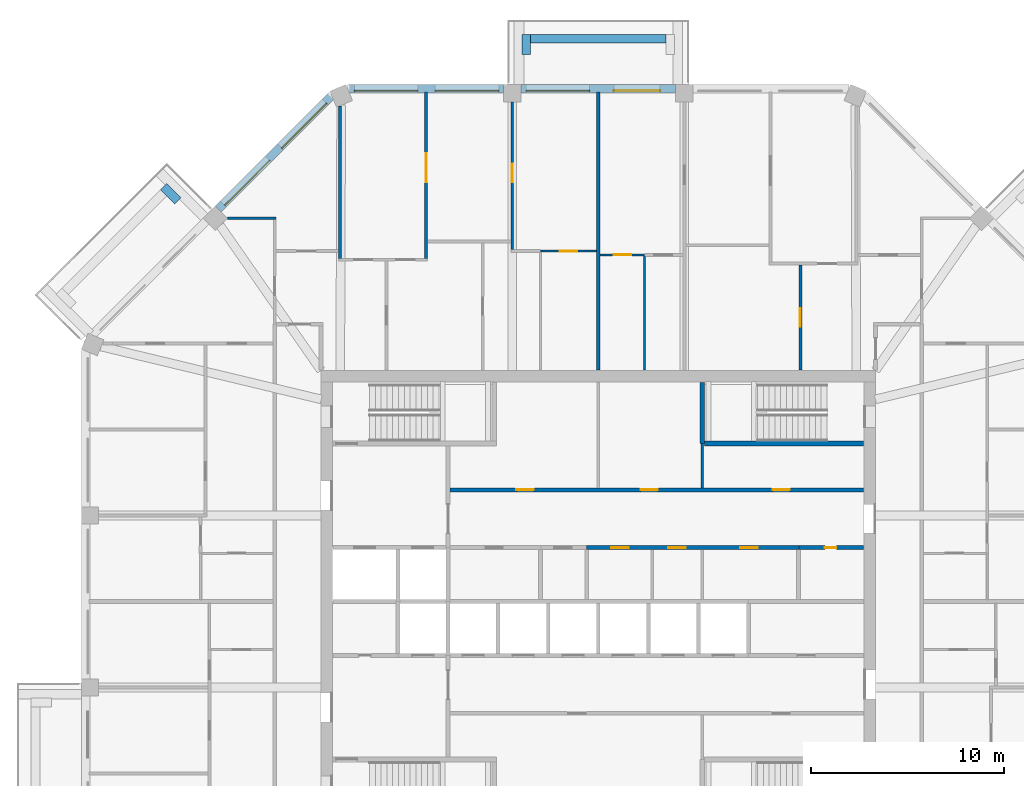
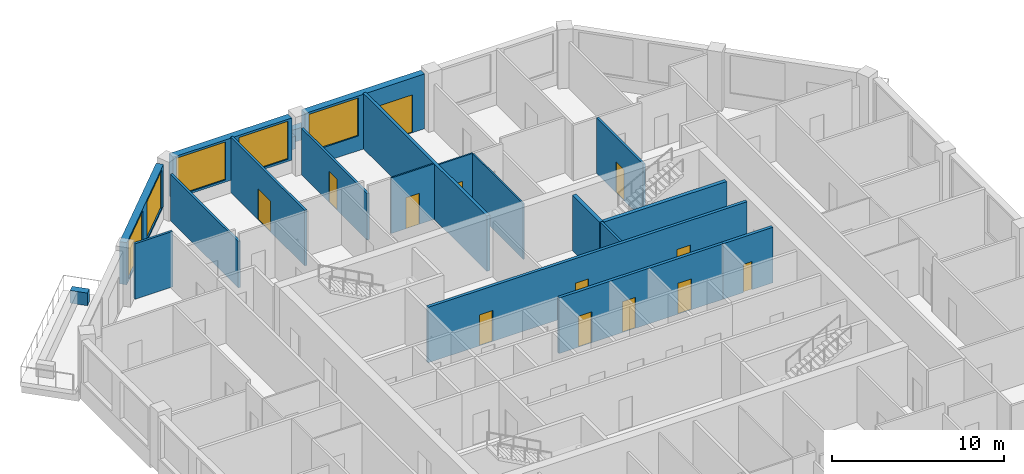
# One storey, part 8 of 11: 21 walls, 13 doors, 5 windows, 18 openings.
"""IFC4 building model written with IfcOpenShell, lengths in metres."""

from ifc_helpers import new_model, si_unit, direction, frame, frame_2d, origin, place, context, subcontext, project, spatial, rectangle, extrude, material, layer, layer_set, type_object, element, fill, save


model = new_model("IFC4")

# Units and contexts
model_context = context("Model", 3, precision=1e-05, world=origin(), true_north=direction((0.0, 1.0)))
body_context = subcontext(model_context, "Body", "Model", "MODEL_VIEW")
ifc_project = project(units=[si_unit("LENGTHUNIT", "METRE"), si_unit("AREAUNIT", "SQUARE_METRE"), si_unit("VOLUMEUNIT", "CUBIC_METRE"), si_unit("PLANEANGLEUNIT", "RADIAN"), si_unit("MASSUNIT", "GRAM", prefix="KILO")], contexts=[model_context])

# Site, building, storey
site_placement = place(None, origin())
site = spatial("IfcSite", under=ifc_project, at=site_placement, CompositionType="ELEMENT")
building_placement = place(site_placement, origin())
building = spatial("IfcBuilding", under=site, at=building_placement, Name="Msitu Wima Residences", CompositionType="ELEMENT")
storey_placement = place(building_placement, frame((0.0, 0.0, 234.89990234375)))
storey = spatial("IfcBuildingStorey", under=building, at=storey_placement, Name="L54", CompositionType="ELEMENT", Elevation=234.89990234375)

# Walls
ifc_material_1 = material(Name="Facing brick")
ifc_layer_1 = layer(ifc_material_1, 0.06494140625, Name="Facing brick")
ifc_material_2 = material(Name="Concrete C40/50", Category="concrete")
ifc_layer_2 = layer(ifc_material_2, 0.156005859375, Name="Concrete C40/50")
ifc_material_3 = material(Name="Waterproofing membrane")
ifc_layer_3 = layer(ifc_material_3, 0.00390625, Name="Waterproofing membrane")
ifc_material_4 = material(Name="Planting soil and planting")
ifc_layer_4 = layer(ifc_material_4, 0.22509765625, Name="Planting soil and planting")
ifc_layer_set_1 = layer_set([ifc_layer_1, ifc_layer_2, ifc_layer_3, ifc_layer_4], Name="Concrete C40/50")
wall_type_1 = type_object("IfcWallType", Name="Balcony planter PLANTER PL450", PredefinedType="USERDEFINED", material=ifc_layer_set_1)
wall_1_placement = place(storey_placement, frame((3.5185546875, 29.22509765625, 0.0), z_axis=(0.0, 0.0, 1.0), x_axis=(-1.0, 0.0, 0.0)))
element("IfcWall", 1, at=wall_1_placement, inside=storey, type_object=wall_type_1, Name="Balcony planter N1 L54", ObjectType="PLANTER", PredefinedType="USERDEFINED", context=body_context, shape_type="SweptSolid", body=[
    extrude(rectangle(XDim=7.037109375, YDim=0.449951171875, at=frame_2d((3.5185546875, 0.0))), origin(), (0.0, 0.0, 1.0), 0.900146484375),
])
for number, where, z_axis, x_axis, name in (
    (2, (-3.74365234375, 28.39990234375, 0.0), (0.0, 0.0, 1.0), (0.0, 1.0, 0.0), "Balcony planter N1 L54"),
    (3, (-21.829833984375, 20.804443359375, 0.0), (0.0, 0.0, 1.0), (-0.707106781187, 0.707106781187, 0.0), "Balcony planter NW1 L54"),
):
    element("IfcWall", number, at=place(storey_placement, frame(where, z_axis=z_axis, x_axis=x_axis)), inside=storey, type_object=wall_type_1, Name=name, ObjectType="PLANTER", PredefinedType="USERDEFINED", context=body_context, shape_type="SweptSolid", body=[
        extrude(rectangle(XDim=1.050048828125, YDim=0.449951171875, at=frame_2d((0.52490234375, 0.0))), origin(), (0.0, 0.0, 1.0), 0.900146484375),
    ])

# Wall, openings, door, window
ifc_material_5 = material(Name="Brick (red buff mix)", Category="masonry")
ifc_layer_5 = layer(ifc_material_5, 0.449951171875)
ifc_layer_set_2 = layer_set([ifc_layer_5], Name="Brick (red buff mix)")
wall_type_2 = type_object("IfcWallType", Name="Brick infill wall BW450", PredefinedType="SOLIDWALL", material=ifc_layer_set_2)
wall_2_placement = place(storey_placement, frame((4.0185546875, 26.625, 0.0), z_axis=(0.0, 0.0, 1.0), x_axis=(-1.0, 0.0, 0.0)))
wall_2 = element("IfcWall", 4, at=wall_2_placement, inside=storey, type_object=wall_type_2, Name="Brick infill wall L54 N1", PredefinedType="SOLIDWALL", context=body_context, shape_type="SweptSolid", body=[
    extrude(rectangle(XDim=8.037109375, YDim=0.449951171875, at=frame_2d((4.0185546875, 0.0))), origin(), (0.0, 0.0, 1.0), 3.900146484375),
])
opening_1_placement = place(wall_2_placement, frame((0.809326171875, 0.0, 0.0)))
opening_1 = element("IfcOpeningElement", 5, at=opening_1_placement, cuts=wall_2, Name="Opening D52-54.002", PredefinedType="OPENING", context=body_context, shape_type="SweptSolid", body=[
    extrude(rectangle(XDim=2.39990234375, YDim=2.699951171875, at=frame_2d((1.199951171875, 1.35009765625))), frame((0.0, 0.23486328125, 0.0), z_axis=(0.0, -1.0, 0.0), x_axis=(1.0, 0.0, 0.0)), (0.0, 0.0, 1.0), 0.469970703125),
])
opening_2_placement = place(wall_2_placement, frame((4.46875, 0.0, 1.050048828125)))
opening_2 = element("IfcOpeningElement", 6, at=opening_2_placement, cuts=wall_2, Name="Opening W52-54.008", PredefinedType="OPENING", context=body_context, shape_type="SweptSolid", body=[
    extrude(rectangle(XDim=3.300048828125, YDim=2.699951171875, at=frame_2d((1.64990234375, 1.35009765625))), frame((0.0, 0.23486328125, 0.0), z_axis=(0.0, -1.0, 0.0), x_axis=(1.0, 0.0, 0.0)), (0.0, 0.0, 1.0), 0.469970703125),
])
ifc_material_6 = material(Name="Anodised aluminium, bronze finish, clear low-emissivity double glazing", Category="aluminium")
door_type_1 = type_object("IfcDoorType", Name="Balcony door D2400x2700", OperationType="SLIDING_TO_LEFT", PredefinedType="DOOR", material=ifc_material_6)
door_1_placement = place(opening_1_placement, origin())
door_1 = element("IfcDoor", 7, at=door_1_placement, inside=storey, type_object=door_type_1, Name="Balcony door L54 N1", OperationType="SINGLE_SWING_LEFT", OverallHeight=2.699951171875, OverallWidth=2.39990234375, PredefinedType="DOOR", context=body_context, shape_type="SweptSolid", body=[
    extrude(rectangle(XDim=2.39990234375, YDim=2.699951171875, at=frame_2d((1.199951171875, 1.35009765625))), frame((0.0, 0.1298828125, 0.0), z_axis=(0.0, -1.0, 0.0), x_axis=(1.0, 0.0, 0.0)), (0.0, 0.0, 1.0), 0.050048828125),
])
fill(opening_1, door_1)
window_type = type_object("IfcWindowType", Name="Window W3300x2700", PartitioningType="DOUBLE_PANEL_VERTICAL", PredefinedType="WINDOW", material=ifc_material_6)
window_1_placement = place(opening_2_placement, origin())
window_1 = element("IfcWindow", 8, at=window_1_placement, inside=storey, type_object=window_type, Name="Window L54 N1.2", OverallHeight=2.699951171875, OverallWidth=3.300048828125, PartitioningType="SINGLE_PANEL", PredefinedType="WINDOW", context=body_context, shape_type="SweptSolid", body=[
    extrude(rectangle(XDim=3.300048828125, YDim=2.699951171875, at=frame_2d((1.64990234375, 1.35009765625))), frame((0.0, 0.135009765625, 0.0), z_axis=(0.0, -1.0, 0.0), x_axis=(1.0, 0.0, 0.0)), (0.0, 0.0, 1.0), 0.06005859375),
])
fill(opening_2, window_1)

# Wall, openings, windows
wall_3_placement = place(storey_placement, frame((-4.918701171875, 26.625, 0.900146484375), z_axis=(0.0, 0.0, 1.0), x_axis=(-1.0, 0.0, 0.0)))
wall_3 = element("IfcWall", 9, at=wall_3_placement, inside=storey, type_object=wall_type_2, Name="Brick infill wall L54 N2", PredefinedType="SOLIDWALL", context=body_context, shape_type="SweptSolid", body=[
    extrude(rectangle(XDim=8.0, YDim=0.449951171875, at=frame_2d((4.0, 0.0))), origin(), (0.0, 0.0, 1.0), 3.0),
])
opening_3_placement = place(wall_3_placement, frame((0.25, 0.0, 0.14990234375)))
opening_3 = element("IfcOpeningElement", 10, at=opening_3_placement, cuts=wall_3, Name="Opening W52-54.009", PredefinedType="OPENING", context=body_context, shape_type="SweptSolid", body=[
    extrude(rectangle(XDim=3.300048828125, YDim=2.699951171875, at=frame_2d((1.64990234375, 1.35009765625))), frame((0.0, 0.23486328125, 0.0), z_axis=(0.0, -1.0, 0.0), x_axis=(1.0, 0.0, 0.0)), (0.0, 0.0, 1.0), 0.469970703125),
])
opening_4_placement = place(wall_3_placement, frame((4.4501953125, 0.0, 0.14990234375)))
opening_4 = element("IfcOpeningElement", 11, at=opening_4_placement, cuts=wall_3, Name="Opening W52-54.010", PredefinedType="OPENING", context=body_context, shape_type="SweptSolid", body=[
    extrude(rectangle(XDim=3.300048828125, YDim=2.699951171875, at=frame_2d((1.64990234375, 1.35009765625))), frame((0.0, 0.23486328125, 0.0), z_axis=(0.0, -1.0, 0.0), x_axis=(1.0, 0.0, 0.0)), (0.0, 0.0, 1.0), 0.469970703125),
])
window_2_placement = place(opening_3_placement, origin())
window_2 = element("IfcWindow", 12, at=window_2_placement, inside=storey, type_object=window_type, Name="Window L54 N2.1", OverallHeight=2.699951171875, OverallWidth=3.300048828125, PartitioningType="SINGLE_PANEL", PredefinedType="WINDOW", context=body_context, shape_type="SweptSolid", body=[
    extrude(rectangle(XDim=3.300048828125, YDim=2.699951171875, at=frame_2d((1.64990234375, 1.35009765625))), frame((0.0, 0.135009765625, 0.0), z_axis=(0.0, -1.0, 0.0), x_axis=(1.0, 0.0, 0.0)), (0.0, 0.0, 1.0), 0.06005859375),
])
fill(opening_3, window_2)
window_3_placement = place(opening_4_placement, origin())
window_3 = element("IfcWindow", 13, at=window_3_placement, inside=storey, type_object=window_type, Name="Window L54 N2.2", OverallHeight=2.699951171875, OverallWidth=3.300048828125, PartitioningType="SINGLE_PANEL", PredefinedType="WINDOW", context=body_context, shape_type="SweptSolid", body=[
    extrude(rectangle(XDim=3.300048828125, YDim=2.699951171875, at=frame_2d((1.64990234375, 1.35009765625))), frame((0.0, 0.135009765625, 0.0), z_axis=(0.0, -1.0, 0.0), x_axis=(1.0, 0.0, 0.0)), (0.0, 0.0, 1.0), 0.06005859375),
])
fill(opening_4, window_3)

wall_4_placement = place(storey_placement, frame((-13.909423828125, 26.214599609375, 0.900146484375), z_axis=(0.0, 0.0, 1.0), x_axis=(-0.707106781187, -0.707106781187, 0.0)))
wall_4 = element("IfcWall", 14, at=wall_4_placement, inside=storey, type_object=wall_type_2, Name="Brick infill wall L54 NW0", PredefinedType="SOLIDWALL", context=body_context, shape_type="SweptSolid", body=[
    extrude(rectangle(XDim=8.251220703125, YDim=0.449951171875, at=frame_2d((4.12548828125, 0.0))), origin(), (0.0, 0.0, 1.0), 3.0),
])
opening_5_placement = place(wall_4_placement, frame((0.37548828125, 0.0, 0.14990234375)))
opening_5 = element("IfcOpeningElement", 15, at=opening_5_placement, cuts=wall_4, Name="Opening W52-54.014", PredefinedType="OPENING", context=body_context, shape_type="SweptSolid", body=[
    extrude(rectangle(XDim=3.300048828125, YDim=2.699951171875, at=frame_2d((1.64990234375, 1.35009765625))), frame((0.0, 0.23486328125, 0.0), z_axis=(0.0, -1.0, 0.0), x_axis=(1.0, 0.0, 0.0)), (0.0, 0.0, 1.0), 0.469970703125),
])
opening_6_placement = place(wall_4_placement, frame((4.57568359375, 0.0, 0.14990234375)))
opening_6 = element("IfcOpeningElement", 16, at=opening_6_placement, cuts=wall_4, Name="Opening W52-54.015", PredefinedType="OPENING", context=body_context, shape_type="SweptSolid", body=[
    extrude(rectangle(XDim=3.300048828125, YDim=2.699951171875, at=frame_2d((1.64990234375, 1.35009765625))), frame((0.0, 0.23486328125, 0.0), z_axis=(0.0, -1.0, 0.0), x_axis=(1.0, 0.0, 0.0)), (0.0, 0.0, 1.0), 0.469970703125),
])
window_4_placement = place(opening_5_placement, origin())
window_4 = element("IfcWindow", 17, at=window_4_placement, inside=storey, type_object=window_type, Name="Window L54 NW0.1", OverallHeight=2.699951171875, OverallWidth=3.300048828125, PartitioningType="SINGLE_PANEL", PredefinedType="WINDOW", context=body_context, shape_type="SweptSolid", body=[
    extrude(rectangle(XDim=3.300048828125, YDim=2.699951171875, at=frame_2d((1.64990234375, 1.35009765625))), frame((0.0, 0.135009765625, 0.0), z_axis=(0.0, -1.0, 0.0), x_axis=(1.0, 0.0, 0.0)), (0.0, 0.0, 1.0), 0.06005859375),
])
fill(opening_5, window_4)
window_5_placement = place(opening_6_placement, origin())
window_5 = element("IfcWindow", 18, at=window_5_placement, inside=storey, type_object=window_type, Name="Window L54 NW0.2", OverallHeight=2.699951171875, OverallWidth=3.300048828125, PartitioningType="SINGLE_PANEL", PredefinedType="WINDOW", context=body_context, shape_type="SweptSolid", body=[
    extrude(rectangle(XDim=3.300048828125, YDim=2.699951171875, at=frame_2d((1.64990234375, 1.35009765625))), frame((0.0, 0.135009765625, 0.0), z_axis=(0.0, -1.0, 0.0), x_axis=(1.0, 0.0, 0.0)), (0.0, 0.0, 1.0), 0.06005859375),
])
fill(opening_6, window_5)

# Wall, openings, doors
ifc_material_7 = material(Name="Plaster")
ifc_layer_6 = layer(ifc_material_7, 0.011962890625, Name="Plaster")
ifc_material_8 = material(Name="Concrete blockwork", Category="masonry")
ifc_layer_7 = layer(ifc_material_8, 0.176025390625, Name="Concrete blockwork")
ifc_layer_8 = layer(ifc_material_7, 0.011962890625, Name="Plaster")
ifc_layer_set_3 = layer_set([ifc_layer_6, ifc_layer_7, ifc_layer_8], Name="Concrete blockwork")
wall_type_3 = type_object("IfcWallType", Name="Corridor wall FW200", PredefinedType="PARTITIONING", material=ifc_layer_set_3)
wall_5_placement = place(storey_placement, frame((-7.699951171875, 5.800048828125, 0.0), z_axis=(0.0, 0.0, 1.0), x_axis=(1.0, 0.0, 0.0)))
wall_5 = element("IfcWall", 19, at=wall_5_placement, inside=storey, type_object=wall_type_3, Name="Corridor wall", PredefinedType="PARTITIONING", context=body_context, shape_type="SweptSolid", body=[
    extrude(rectangle(XDim=21.469970703125, YDim=0.199951171875, at=frame_2d((10.73486328125, 0.0))), origin(), (0.0, 0.0, 1.0), 3.9501953125),
])
opening_7_placement = place(wall_5_placement, frame((3.449951171875, 0.0, 0.0)))
opening_7 = element("IfcOpeningElement", 20, at=opening_7_placement, cuts=wall_5, Name="Opening D52-54.071", PredefinedType="OPENING", context=body_context, shape_type="SweptSolid", body=[
    extrude(rectangle(XDim=0.89990234375, YDim=2.199951171875, at=frame_2d((0.449951171875, 1.10009765625))), frame((0.0, 0.10986328125, 0.0), z_axis=(0.0, -1.0, 0.0), x_axis=(1.0, 0.0, 0.0)), (0.0, 0.0, 1.0), 0.219970703125),
])
opening_8_placement = place(wall_5_placement, frame((9.89990234375, 0.0, 0.0)))
opening_8 = element("IfcOpeningElement", 21, at=opening_8_placement, cuts=wall_5, Name="Opening D52-54.072", PredefinedType="OPENING", context=body_context, shape_type="SweptSolid", body=[
    extrude(rectangle(XDim=0.89990234375, YDim=2.199951171875, at=frame_2d((0.449951171875, 1.10009765625))), frame((0.0, 0.10986328125, 0.0), z_axis=(0.0, -1.0, 0.0), x_axis=(1.0, 0.0, 0.0)), (0.0, 0.0, 1.0), 0.219970703125),
])
opening_9_placement = place(wall_5_placement, frame((16.75, 0.0, 0.0)))
opening_9 = element("IfcOpeningElement", 22, at=opening_9_placement, cuts=wall_5, Name="Opening D52-54.073", PredefinedType="OPENING", context=body_context, shape_type="SweptSolid", body=[
    extrude(rectangle(XDim=0.89990234375, YDim=2.199951171875, at=frame_2d((0.449951171875, 1.10009765625))), frame((0.0, 0.10986328125, 0.0), z_axis=(0.0, -1.0, 0.0), x_axis=(1.0, 0.0, 0.0)), (0.0, 0.0, 1.0), 0.219970703125),
])
ifc_material_9 = material(Name="Timber flush door", Category="wood")
door_type_2 = type_object("IfcDoorType", Name="Service door D05 900x2200", OperationType="SINGLE_SWING_LEFT", PredefinedType="DOOR", material=ifc_material_9)
door_2_placement = place(opening_7_placement, origin())
door_2 = element("IfcDoor", 23, at=door_2_placement, inside=storey, type_object=door_type_2, Name="Service door", OperationType="SINGLE_SWING_LEFT", OverallHeight=2.199951171875, OverallWidth=0.89990234375, PredefinedType="DOOR", context=body_context, shape_type="SweptSolid", body=[
    extrude(rectangle(XDim=0.89990234375, YDim=2.199951171875, at=frame_2d((0.449951171875, 1.10009765625))), frame((0.0, 0.02490234375, 0.0), z_axis=(0.0, -1.0, 0.0), x_axis=(1.0, 0.0, 0.0)), (0.0, 0.0, 1.0), 0.050048828125),
])
fill(opening_7, door_2)
door_3_placement = place(opening_8_placement, origin())
door_3 = element("IfcDoor", 24, at=door_3_placement, inside=storey, type_object=door_type_2, Name="Service door", OperationType="SINGLE_SWING_LEFT", OverallHeight=2.199951171875, OverallWidth=0.89990234375, PredefinedType="DOOR", context=body_context, shape_type="SweptSolid", body=[
    extrude(rectangle(XDim=0.89990234375, YDim=2.199951171875, at=frame_2d((0.449951171875, 1.10009765625))), frame((0.0, 0.02490234375, 0.0), z_axis=(0.0, -1.0, 0.0), x_axis=(1.0, 0.0, 0.0)), (0.0, 0.0, 1.0), 0.050048828125),
])
fill(opening_8, door_3)
door_4_placement = place(opening_9_placement, origin())
door_4 = element("IfcDoor", 25, at=door_4_placement, inside=storey, type_object=door_type_2, Name="Service door", OperationType="SINGLE_SWING_RIGHT", OverallHeight=2.199951171875, OverallWidth=0.89990234375, PredefinedType="DOOR", context=body_context, shape_type="SweptSolid", body=[
    extrude(rectangle(XDim=0.89990234375, YDim=2.199951171875, at=frame_2d((0.449951171875, 1.10009765625))), frame((0.0, 0.02490234375, 0.0), z_axis=(0.0, -1.0, 0.0), x_axis=(1.0, 0.0, 0.0)), (0.0, 0.0, 1.0), 0.050048828125),
])
fill(opening_9, door_4)

wall_6_placement = place(storey_placement, frame((-0.6201171875, 2.800048828125, 0.0), z_axis=(0.0, 0.0, 1.0), x_axis=(1.0, 0.0, 0.0)))
wall_6 = element("IfcWall", 26, at=wall_6_placement, inside=storey, type_object=wall_type_3, Name="Corridor wall", PredefinedType="PARTITIONING", context=body_context, shape_type="SweptSolid", body=[
    extrude(rectangle(XDim=11.0400390625, YDim=0.199951171875, at=frame_2d((5.52001953125, 0.0))), origin(), (0.0, 0.0, 1.0), 3.9501953125),
])
opening_10_placement = place(wall_6_placement, frame((1.300048828125, 0.0, 0.0)))
opening_10 = element("IfcOpeningElement", 27, at=opening_10_placement, cuts=wall_6, Name="Opening D52-54.080", PredefinedType="OPENING", context=body_context, shape_type="SweptSolid", body=[
    extrude(rectangle(XDim=0.89990234375, YDim=2.199951171875, at=frame_2d((0.449951171875, 1.10009765625))), frame((0.0, 0.10986328125, 0.0), z_axis=(0.0, -1.0, 0.0), x_axis=(1.0, 0.0, 0.0)), (0.0, 0.0, 1.0), 0.219970703125),
])
opening_11_placement = place(wall_6_placement, frame((4.25, 0.0, 0.0)))
opening_11 = element("IfcOpeningElement", 28, at=opening_11_placement, cuts=wall_6, Name="Opening D52-54.081", PredefinedType="OPENING", context=body_context, shape_type="SweptSolid", body=[
    extrude(rectangle(XDim=0.89990234375, YDim=2.199951171875, at=frame_2d((0.449951171875, 1.10009765625))), frame((0.0, 0.10986328125, 0.0), z_axis=(0.0, -1.0, 0.0), x_axis=(1.0, 0.0, 0.0)), (0.0, 0.0, 1.0), 0.219970703125),
])
opening_12_placement = place(wall_6_placement, frame((8.0, 0.0, 0.0)))
opening_12 = element("IfcOpeningElement", 29, at=opening_12_placement, cuts=wall_6, Name="Opening D52-54.082", PredefinedType="OPENING", context=body_context, shape_type="SweptSolid", body=[
    extrude(rectangle(XDim=0.89990234375, YDim=2.199951171875, at=frame_2d((0.449951171875, 1.10009765625))), frame((0.0, 0.10986328125, 0.0), z_axis=(0.0, -1.0, 0.0), x_axis=(1.0, 0.0, 0.0)), (0.0, 0.0, 1.0), 0.219970703125),
])
door_5_placement = place(opening_10_placement, origin())
door_5 = element("IfcDoor", 30, at=door_5_placement, inside=storey, type_object=door_type_2, Name="Service door", OperationType="SINGLE_SWING_LEFT", OverallHeight=2.199951171875, OverallWidth=0.89990234375, PredefinedType="DOOR", context=body_context, shape_type="SweptSolid", body=[
    extrude(rectangle(XDim=0.89990234375, YDim=2.199951171875, at=frame_2d((0.449951171875, 1.10009765625))), frame((0.0, 0.02490234375, 0.0), z_axis=(0.0, -1.0, 0.0), x_axis=(1.0, 0.0, 0.0)), (0.0, 0.0, 1.0), 0.050048828125),
])
fill(opening_10, door_5)
door_6_placement = place(opening_11_placement, origin())
door_6 = element("IfcDoor", 31, at=door_6_placement, inside=storey, type_object=door_type_2, Name="Service door", OperationType="SINGLE_SWING_RIGHT", OverallHeight=2.199951171875, OverallWidth=0.89990234375, PredefinedType="DOOR", context=body_context, shape_type="SweptSolid", body=[
    extrude(rectangle(XDim=0.89990234375, YDim=2.199951171875, at=frame_2d((0.449951171875, 1.10009765625))), frame((0.0, 0.02490234375, 0.0), z_axis=(0.0, -1.0, 0.0), x_axis=(1.0, 0.0, 0.0)), (0.0, 0.0, 1.0), 0.050048828125),
])
fill(opening_11, door_6)
door_7_placement = place(opening_12_placement, origin())
door_7 = element("IfcDoor", 32, at=door_7_placement, inside=storey, type_object=door_type_2, Name="Service door", OperationType="SINGLE_SWING_RIGHT", OverallHeight=2.199951171875, OverallWidth=0.89990234375, PredefinedType="DOOR", context=body_context, shape_type="SweptSolid", body=[
    extrude(rectangle(XDim=0.89990234375, YDim=2.199951171875, at=frame_2d((0.449951171875, 1.10009765625))), frame((0.0, 0.02490234375, 0.0), z_axis=(0.0, -1.0, 0.0), x_axis=(1.0, 0.0, 0.0)), (0.0, 0.0, 1.0), 0.050048828125),
])
fill(opening_12, door_7)

# Walls
ifc_layer_9 = layer(ifc_material_7, 0.011962890625, Name="Plaster")
ifc_layer_10 = layer(ifc_material_8, 0.1259765625, Name="Concrete blockwork")
ifc_layer_11 = layer(ifc_material_7, 0.011962890625, Name="Plaster")
ifc_layer_set_4 = layer_set([ifc_layer_9, ifc_layer_10, ifc_layer_11], Name="Concrete blockwork")
wall_type_4 = type_object("IfcWallType", Name="Partition PW150", PredefinedType="PARTITIONING", material=ifc_layer_set_4)
wall_7_placement = place(storey_placement, frame((-19.2666015625, 19.90283203125, 0.0), z_axis=(0.0, 0.0, 1.0), x_axis=(1.0, 0.0, 0.0)))
element("IfcWall", 33, at=wall_7_placement, inside=storey, type_object=wall_type_4, Name="Partition", PredefinedType="PARTITIONING", context=body_context, shape_type="SweptSolid", body=[
    extrude(rectangle(XDim=2.54150390625, YDim=0.14990234375, at=frame_2d((1.270751953125, 0.0))), origin(), (0.0, 0.0, 1.0), 3.9501953125),
])
wall_8_placement = place(storey_placement, frame((-13.406005859375, 17.824951171875, 0.0), z_axis=(0.0, 0.0, 1.0), x_axis=(0.0, 1.0, 0.0)))
element("IfcWall", 34, at=wall_8_placement, inside=storey, type_object=wall_type_4, Name="Partition", PredefinedType="PARTITIONING", context=body_context, shape_type="SweptSolid", body=[
    extrude(rectangle(XDim=7.90625, YDim=0.14990234375, at=frame_2d((3.953125, 0.0))), origin(), (0.0, 0.0, 1.0), 3.300048828125),
])

# Wall, opening, door
wall_9_placement = place(storey_placement, frame((-8.937255859375, 17.824951171875, 0.0), z_axis=(0.0, 0.0, 1.0), x_axis=(0.0, 1.0, 0.0)))
wall_9 = element("IfcWall", 35, at=wall_9_placement, inside=storey, type_object=wall_type_4, Name="Partition", PredefinedType="PARTITIONING", context=body_context, shape_type="SweptSolid", body=[
    extrude(rectangle(XDim=8.630126953125, YDim=0.14990234375, at=frame_2d((4.31494140625, 0.0))), origin(), (0.0, 0.0, 1.0), 3.9501953125),
])
opening_13_placement = place(wall_9_placement, frame((3.949951171875, 0.0, 0.0)))
opening_13 = element("IfcOpeningElement", 36, at=opening_13_placement, cuts=wall_9, Name="Opening D52-54.033", PredefinedType="OPENING", context=body_context, shape_type="SweptSolid", body=[
    extrude(rectangle(XDim=1.5, YDim=2.199951171875, at=frame_2d((0.75, 1.10009765625))), frame((0.0, 0.0849609375, 0.0), z_axis=(0.0, -1.0, 0.0), x_axis=(1.0, 0.0, 0.0)), (0.0, 0.0, 1.0), 0.169921875),
])
ifc_material_10 = material(Name="Timber double door", Category="wood")
door_type_3 = type_object("IfcDoorType", Name="Double door D04 1500x2200", OperationType="DOUBLE_DOOR_SINGLE_SWING", PredefinedType="DOOR", material=ifc_material_10)
door_8_placement = place(opening_13_placement, origin())
door_8 = element("IfcDoor", 37, at=door_8_placement, inside=storey, type_object=door_type_3, Name="Double door", OperationType="DOUBLE_DOOR_SINGLE_SWING", OverallHeight=2.199951171875, OverallWidth=1.5, PredefinedType="DOOR", context=body_context, shape_type="SweptSolid", body=[
    extrude(rectangle(XDim=1.5, YDim=2.199951171875, at=frame_2d((0.75, 1.10009765625))), frame((0.0, 0.02490234375, 0.0), z_axis=(0.0, -1.0, 0.0), x_axis=(1.0, 0.0, 0.0)), (0.0, 0.0, 1.0), 0.050048828125),
])
fill(opening_13, door_8)

wall_10_placement = place(storey_placement, frame((-4.46875, 18.27490234375, 0.0), z_axis=(0.0, 0.0, 1.0), x_axis=(0.0, 1.0, 0.0)))
wall_10 = element("IfcWall", 38, at=wall_10_placement, inside=storey, type_object=wall_type_4, Name="Partition", PredefinedType="PARTITIONING", context=body_context, shape_type="SweptSolid", body=[
    extrude(rectangle(XDim=7.675048828125, YDim=0.14990234375, at=frame_2d((3.83740234375, 0.0))), origin(), (0.0, 0.0, 1.0), 3.300048828125),
])
opening_14_placement = place(wall_10_placement, frame((3.5, 0.0, 0.0)))
opening_14 = element("IfcOpeningElement", 39, at=opening_14_placement, cuts=wall_10, Name="Opening D52-54.025", PredefinedType="OPENING", context=body_context, shape_type="SweptSolid", body=[
    extrude(rectangle(XDim=0.949951171875, YDim=2.199951171875, at=frame_2d((0.47509765625, 1.10009765625))), frame((0.0, 0.0849609375, 0.0), z_axis=(0.0, -1.0, 0.0), x_axis=(1.0, 0.0, 0.0)), (0.0, 0.0, 1.0), 0.169921875),
])
door_type_4 = type_object("IfcDoorType", Name="Room door D12 950x2200", OperationType="SINGLE_SWING_LEFT", PredefinedType="DOOR", material=ifc_material_9)
door_9_placement = place(opening_14_placement, origin())
door_9 = element("IfcDoor", 40, at=door_9_placement, inside=storey, type_object=door_type_4, Name="Room door", OperationType="SINGLE_SWING_LEFT", OverallHeight=2.199951171875, OverallWidth=0.949951171875, PredefinedType="DOOR", context=body_context, shape_type="SweptSolid", body=[
    extrude(rectangle(XDim=0.949951171875, YDim=2.199951171875, at=frame_2d((0.47509765625, 1.10009765625))), frame((0.0, 0.02490234375, 0.0), z_axis=(0.0, -1.0, 0.0), x_axis=(1.0, 0.0, 0.0)), (0.0, 0.0, 1.0), 0.050048828125),
])
fill(opening_14, door_9)

# Wall
wall_11_placement = place(storey_placement, frame((5.39990234375, 5.89990234375, 0.0), z_axis=(0.0, 0.0, 1.0), x_axis=(0.0, 1.0, 0.0)))
element("IfcWall", 41, at=wall_11_placement, inside=storey, type_object=wall_type_4, Name="Partition", PredefinedType="PARTITIONING", context=body_context, shape_type="SweptSolid", body=[
    extrude(rectangle(XDim=2.300048828125, YDim=0.14990234375, at=frame_2d((1.14990234375, 0.0))), origin(), (0.0, 0.0, 1.0), 3.9501953125),
])

# Wall, opening, door
wall_12_placement = place(storey_placement, frame((10.5, 12.030029296875, 0.0), z_axis=(0.0, 0.0, 1.0), x_axis=(0.0, 1.0, 0.0)))
wall_12 = element("IfcWall", 42, at=wall_12_placement, inside=storey, type_object=wall_type_4, Name="Partition", PredefinedType="PARTITIONING", context=body_context, shape_type="SweptSolid", body=[
    extrude(rectangle(XDim=5.445068359375, YDim=0.14990234375, at=frame_2d((2.72265625, 0.0))), origin(), (0.0, 0.0, 1.0), 3.9501953125),
])
opening_15_placement = place(wall_12_placement, frame((2.25, 0.0, 0.0)))
opening_15 = element("IfcOpeningElement", 43, at=opening_15_placement, cuts=wall_12, Name="Opening D52-54.009", PredefinedType="OPENING", context=body_context, shape_type="SweptSolid", body=[
    extrude(rectangle(XDim=0.949951171875, YDim=2.199951171875, at=frame_2d((0.47509765625, 1.10009765625))), frame((0.0, 0.0849609375, 0.0), z_axis=(0.0, -1.0, 0.0), x_axis=(1.0, 0.0, 0.0)), (0.0, 0.0, 1.0), 0.169921875),
])
door_10_placement = place(opening_15_placement, origin())
door_10 = element("IfcDoor", 44, at=door_10_placement, inside=storey, type_object=door_type_4, Name="Room door", OperationType="SINGLE_SWING_RIGHT", OverallHeight=2.199951171875, OverallWidth=0.949951171875, PredefinedType="DOOR", context=body_context, shape_type="SweptSolid", body=[
    extrude(rectangle(XDim=0.949951171875, YDim=2.199951171875, at=frame_2d((0.47509765625, 1.10009765625))), frame((0.0, 0.02490234375, 0.0), z_axis=(0.0, -1.0, 0.0), x_axis=(1.0, 0.0, 0.0)), (0.0, 0.0, 1.0), 0.050048828125),
])
fill(opening_15, door_10)

# Wall
ifc_layer_12 = layer(ifc_material_7, 0.011962890625, Name="Plaster")
ifc_material_11 = material(Name="Dense concrete blockwork", Category="masonry")
ifc_layer_13 = layer(ifc_material_11, 0.176025390625, Name="Dense concrete blockwork")
ifc_layer_14 = layer(ifc_material_7, 0.011962890625, Name="Plaster")
ifc_layer_set_5 = layer_set([ifc_layer_12, ifc_layer_13, ifc_layer_14], Name="Dense concrete blockwork")
wall_type_5 = type_object("IfcWallType", Name="Party wall PW200", PredefinedType="PARTITIONING", material=ifc_layer_set_5)
wall_13_placement = place(storey_placement, frame((0.0, 12.030029296875, 0.0), z_axis=(0.0, 0.0, 1.0), x_axis=(0.0, 1.0, 0.0)))
element("IfcWall", 45, at=wall_13_placement, inside=storey, type_object=wall_type_5, Name="Party wall", PredefinedType="PARTITIONING", context=body_context, shape_type="SweptSolid", body=[
    extrude(rectangle(XDim=14.425048828125, YDim=0.199951171875, at=frame_2d((7.21240234375, 0.0))), origin(), (0.0, 0.0, 1.0), 3.9501953125),
])

# Wall, opening, door
ifc_layer_15 = layer(ifc_material_7, 0.011962890625, Name="Plaster")
ifc_material_12 = material(Name="Reinforced concrete blockwork", Category="masonry")
ifc_layer_16 = layer(ifc_material_12, 0.176025390625, Name="Reinforced concrete blockwork")
ifc_layer_17 = layer(ifc_material_7, 0.011962890625, Name="Plaster")
ifc_layer_set_6 = layer_set([ifc_layer_15, ifc_layer_16, ifc_layer_17], Name="Reinforced concrete blockwork")
wall_type_6 = type_object("IfcWallType", Name="Plant and riser wall PL200", PredefinedType="PARTITIONING", material=ifc_layer_set_6)
wall_14_placement = place(storey_placement, frame((10.419921875, 2.800048828125, 0.0), z_axis=(0.0, 0.0, 1.0), x_axis=(1.0, 0.0, 0.0)))
wall_14 = element("IfcWall", 46, at=wall_14_placement, inside=storey, type_object=wall_type_6, Name="Plant and riser wall", PredefinedType="PARTITIONING", context=body_context, shape_type="SweptSolid", body=[
    extrude(rectangle(XDim=3.35009765625, YDim=0.199951171875, at=frame_2d((1.675048828125, 0.0))), origin(), (0.0, 0.0, 1.0), 3.9501953125),
])
opening_16_placement = place(wall_14_placement, frame((1.35009765625, 0.0, 0.0)))
opening_16 = element("IfcOpeningElement", 47, at=opening_16_placement, cuts=wall_14, Name="Opening D52-54.083", PredefinedType="OPENING", context=body_context, shape_type="SweptSolid", body=[
    extrude(rectangle(XDim=0.60009765625, YDim=2.0, at=frame_2d((0.300048828125, 1.0))), frame((0.0, 0.10986328125, 0.0), z_axis=(0.0, -1.0, 0.0), x_axis=(1.0, 0.0, 0.0)), (0.0, 0.0, 1.0), 0.219970703125),
])
ifc_material_13 = material(Name="Steel access door, fire resisting", Category="steel")
door_type_5 = type_object("IfcDoorType", Name="Riser access door D08 600x2000", OperationType="SINGLE_SWING_LEFT", PredefinedType="DOOR", material=ifc_material_13)
door_11_placement = place(opening_16_placement, origin())
door_11 = element("IfcDoor", 48, at=door_11_placement, inside=storey, type_object=door_type_5, Name="Riser access door", OperationType="SINGLE_SWING_RIGHT", OverallHeight=2.0, OverallWidth=0.60009765625, PredefinedType="DOOR", context=body_context, shape_type="SweptSolid", body=[
    extrude(rectangle(XDim=0.60009765625, YDim=2.0, at=frame_2d((0.300048828125, 1.0))), frame((0.0, 0.02490234375, 0.0), z_axis=(0.0, -1.0, 0.0), x_axis=(1.0, 0.0, 0.0)), (0.0, 0.0, 1.0), 0.050048828125),
])
fill(opening_16, door_11)

# Walls
ifc_material_14 = material(Name="Concrete C50/60", Category="concrete")
ifc_layer_18 = layer(ifc_material_14, 0.25)
ifc_layer_set_7 = layer_set([ifc_layer_18], Name="Concrete C50/60")
wall_type_7 = type_object("IfcWallType", Name="Stair enclosure wall SW250", PredefinedType="SHEAR", material=ifc_layer_set_7)
wall_15_placement = place(storey_placement, frame((5.39990234375, 8.199951171875, 0.0), z_axis=(0.0, 0.0, 1.0), x_axis=(0.0, 1.0, 0.0)))
element("IfcWall", 49, at=wall_15_placement, inside=storey, type_object=wall_type_7, Name="Stair enclosure wall", PredefinedType="SHEAR", context=body_context, shape_type="SweptSolid", body=[
    extrude(rectangle(XDim=3.170166015625, YDim=0.25, at=frame_2d((1.5849609375, 0.0))), origin(), (0.0, 0.0, 1.0), 3.9501953125),
])
wall_16_placement = place(storey_placement, frame((5.52490234375, 8.199951171875, 0.0), z_axis=(0.0, 0.0, 1.0), x_axis=(1.0, 0.0, 0.0)))
element("IfcWall", 50, at=wall_16_placement, inside=storey, type_object=wall_type_7, Name="Stair enclosure wall", PredefinedType="SHEAR", context=body_context, shape_type="SweptSolid", body=[
    extrude(rectangle(XDim=8.2451171875, YDim=0.25, at=frame_2d((4.12255859375, 0.0))), origin(), (0.0, 0.0, 1.0), 3.9501953125),
])

# Wall, opening, door
ifc_material_15 = material(Name="Ceramic tiles")
ifc_layer_19 = layer(ifc_material_15, 0.008056640625, Name="Ceramic tiles")
ifc_material_16 = material(Name="Moisture-resistant board")
ifc_layer_20 = layer(ifc_material_16, 0.012451171875, Name="Moisture-resistant board")
ifc_material_17 = material(Name="Light-gauge stud framing with mineral wool")
ifc_layer_21 = layer(ifc_material_17, 0.06689453125, Name="Light-gauge stud framing with mineral wool")
ifc_layer_22 = layer(ifc_material_16, 0.012451171875, Name="Moisture-resistant board")
ifc_layer_set_8 = layer_set([ifc_layer_19, ifc_layer_20, ifc_layer_21, ifc_layer_22], Name="Light-gauge stud framing with mineral wool")
wall_type_8 = type_object("IfcWallType", Name="Wet wall PW100", PredefinedType="PARTITIONING", material=ifc_layer_set_8)
wall_17_placement = place(storey_placement, frame((-3.0, 18.199951171875, 0.0), z_axis=(0.0, 0.0, 1.0), x_axis=(1.0, 0.0, 0.0)))
wall_17 = element("IfcWall", 51, at=wall_17_placement, inside=storey, type_object=wall_type_8, Name="Wet wall", PredefinedType="PARTITIONING", context=body_context, shape_type="SweptSolid", body=[
    extrude(rectangle(XDim=2.89990234375, YDim=0.10009765625, at=frame_2d((1.449951171875, 0.0))), origin(), (0.0, 0.0, 1.0), 3.9501953125),
])
opening_17_placement = place(wall_17_placement, frame((1.0, 0.0, 0.0)))
opening_17 = element("IfcOpeningElement", 52, at=opening_17_placement, cuts=wall_17, Name="Opening D52-54.027", PredefinedType="OPENING", context=body_context, shape_type="SweptSolid", body=[
    extrude(rectangle(XDim=0.89990234375, YDim=2.199951171875, at=frame_2d((0.449951171875, 1.10009765625))), frame((0.0, 0.06005859375, 0.0), z_axis=(0.0, -1.0, 0.0), x_axis=(1.0, 0.0, 0.0)), (0.0, 0.0, 1.0), 0.1201171875),
])
ifc_material_18 = material(Name="Timber flush door, moisture resistant", Category="wood")
door_type_6 = type_object("IfcDoorType", Name="Bathroom door D03 900x2200", OperationType="SINGLE_SWING_LEFT", PredefinedType="DOOR", material=ifc_material_18)
door_12_placement = place(opening_17_placement, origin())
door_12 = element("IfcDoor", 53, at=door_12_placement, inside=storey, type_object=door_type_6, Name="Bathroom door", OperationType="SINGLE_SWING_RIGHT", OverallHeight=2.199951171875, OverallWidth=0.89990234375, PredefinedType="DOOR", context=body_context, shape_type="SweptSolid", body=[
    extrude(rectangle(XDim=0.89990234375, YDim=2.199951171875, at=frame_2d((0.449951171875, 1.10009765625))), frame((0.0, 0.02490234375, 0.0), z_axis=(0.0, -1.0, 0.0), x_axis=(1.0, 0.0, 0.0)), (0.0, 0.0, 1.0), 0.050048828125),
])
fill(opening_17, door_12)

wall_18_placement = place(storey_placement, frame((0.10009765625, 18.0, 0.0), z_axis=(0.0, 0.0, 1.0), x_axis=(1.0, 0.0, 0.0)))
wall_18 = element("IfcWall", 54, at=wall_18_placement, inside=storey, type_object=wall_type_8, Name="Wet wall", PredefinedType="PARTITIONING", context=body_context, shape_type="SweptSolid", body=[
    extrude(rectangle(XDim=2.2998046875, YDim=0.10009765625, at=frame_2d((1.14990234375, 0.0))), origin(), (0.0, 0.0, 1.0), 3.9501953125),
])
opening_18_placement = place(wall_18_placement, frame((0.699951171875, 0.0, 0.0)))
opening_18 = element("IfcOpeningElement", 55, at=opening_18_placement, cuts=wall_18, Name="Opening D52-54.012", PredefinedType="OPENING", context=body_context, shape_type="SweptSolid", body=[
    extrude(rectangle(XDim=0.89990234375, YDim=2.199951171875, at=frame_2d((0.449951171875, 1.10009765625))), frame((0.0, 0.06005859375, 0.0), z_axis=(0.0, -1.0, 0.0), x_axis=(1.0, 0.0, 0.0)), (0.0, 0.0, 1.0), 0.1201171875),
])
door_13_placement = place(opening_18_placement, origin())
door_13 = element("IfcDoor", 56, at=door_13_placement, inside=storey, type_object=door_type_6, Name="Bathroom door", OperationType="SINGLE_SWING_LEFT", OverallHeight=2.199951171875, OverallWidth=0.89990234375, PredefinedType="DOOR", context=body_context, shape_type="SweptSolid", body=[
    extrude(rectangle(XDim=0.89990234375, YDim=2.199951171875, at=frame_2d((0.449951171875, 1.10009765625))), frame((0.0, 0.02490234375, 0.0), z_axis=(0.0, -1.0, 0.0), x_axis=(1.0, 0.0, 0.0)), (0.0, 0.0, 1.0), 0.050048828125),
])
fill(opening_18, door_13)

# Wall
wall_19_placement = place(storey_placement, frame((2.39990234375, 12.030029296875, 0.0), z_axis=(0.0, 0.0, 1.0), x_axis=(0.0, 1.0, 0.0)))
element("IfcWall", 57, at=wall_19_placement, inside=storey, type_object=wall_type_8, Name="Wet wall", PredefinedType="PARTITIONING", context=body_context, shape_type="SweptSolid", body=[
    extrude(rectangle(XDim=5.89501953125, YDim=0.10009765625, at=frame_2d((2.947509765625, 0.0))), origin(), (0.0, 0.0, 1.0), 3.9501953125),
])

save(model, "model.ifc")
